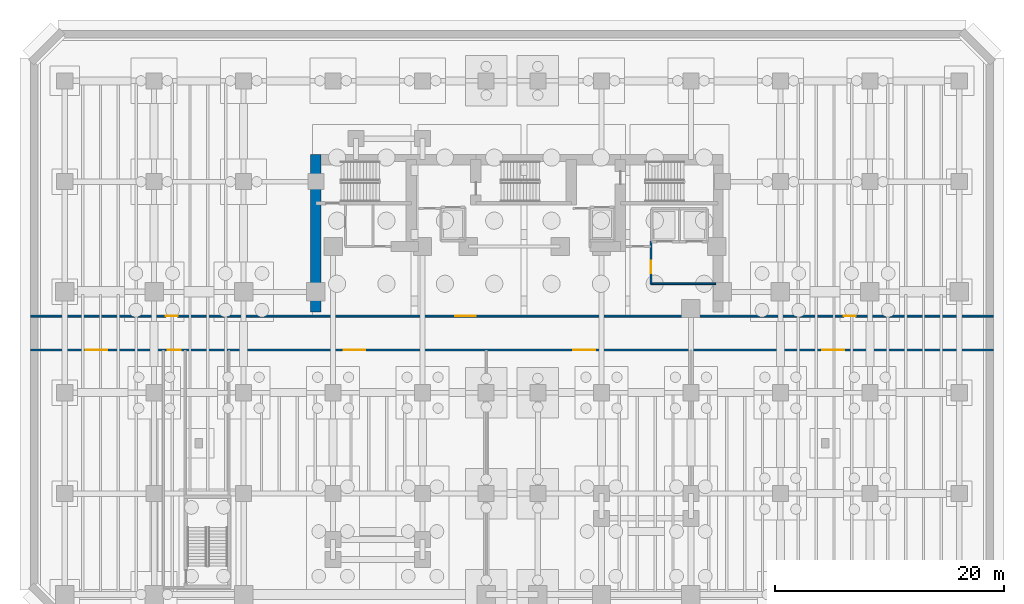
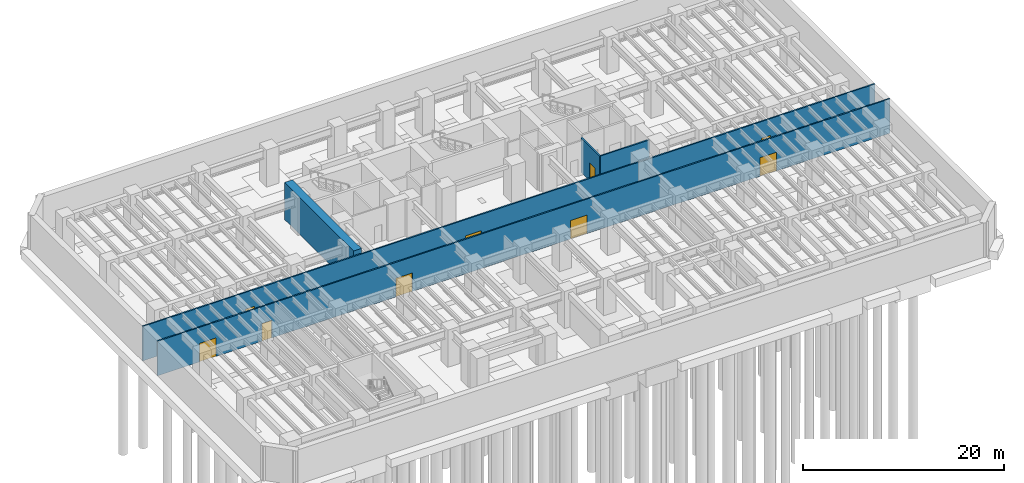
# One storey, part 8 of 13: 9 doors, 5 walls, 9 openings.
"""IFC4 building model written with IfcOpenShell, lengths in metres."""

from ifc_helpers import new_model, si_unit, direction, frame, frame_2d, origin, place, context, subcontext, project, spatial, rectangle, extrude, material, layer, layer_set, type_object, element, fill, save


model = new_model("IFC4")

# Units and contexts
model_context = context("Model", 3, precision=1e-05, world=origin(), true_north=direction((0.0, 1.0)))
body_context = subcontext(model_context, "Body", "Model", "MODEL_VIEW")
ifc_project = project(units=[si_unit("LENGTHUNIT", "METRE"), si_unit("AREAUNIT", "SQUARE_METRE"), si_unit("VOLUMEUNIT", "CUBIC_METRE"), si_unit("PLANEANGLEUNIT", "RADIAN"), si_unit("MASSUNIT", "GRAM", prefix="KILO")], contexts=[model_context])

# Site, building, storey
site_placement = place(None, origin())
site = spatial("IfcSite", under=ifc_project, at=site_placement, CompositionType="ELEMENT")
building_placement = place(site_placement, origin())
building = spatial("IfcBuilding", under=site, at=building_placement, Name="Kestravale Grand Hotel", CompositionType="ELEMENT")
storey_placement = place(building_placement, frame((0.0, 0.0, -9.0)))
storey = spatial("IfcBuildingStorey", under=building, at=storey_placement, Name="B2", CompositionType="ELEMENT", Elevation=-9.0)

# Wall
ifc_material_1 = material(Name="Concrete f'c 70 MPa", Category="concrete")
ifc_layer_1 = layer(ifc_material_1, 0.89990234375)
ifc_layer_set_1 = layer_set([ifc_layer_1], Name="EW-CORE-900")
wall_type_1 = type_object("IfcWallType", Name="EW-CORE-900", PredefinedType="SHEAR", material=ifc_layer_set_1)
wall_1_placement = place(storey_placement, frame((21.89990234375, 27.050048828125, 0.0), z_axis=(0.0, 0.0, 1.0), x_axis=(0.0, 1.0, 0.0)))
element("IfcWall", 1, at=wall_1_placement, inside=storey, type_object=wall_type_1, Name="B2 core shear wall W1", PredefinedType="SHEAR", context=body_context, shape_type="SweptSolid", body=[
    extrude(rectangle(XDim=13.719970703125, YDim=0.89990234375, at=frame_2d((6.85986328125, 0.0))), origin(), (0.0, 0.0, 1.0), 4.5),
])

# Wall, opening, door
ifc_material_2 = material(Name="Acoustic fire-rated gypsum board partition", Category="other")
ifc_layer_2 = layer(ifc_material_2, 0.159912109375)
ifc_layer_set_2 = layer_set([ifc_layer_2], Name="IW-CORR-160")
wall_type_2 = type_object("IfcWallType", Name="IW-CORR-160", PredefinedType="PARTITIONING", material=ifc_layer_set_2)
wall_2_placement = place(storey_placement, frame((51.1201171875, 29.5, 0.0), z_axis=(0.0, 0.0, 1.0), x_axis=(0.0, 1.0, 0.0)))
wall_2 = element("IfcWall", 2, at=wall_2_placement, inside=storey, type_object=wall_type_2, Name="W-B2-SVCLOB-W", PredefinedType="PARTITIONING", context=body_context, shape_type="SweptSolid", body=[
    extrude(rectangle(XDim=3.699951171875, YDim=0.159912109375, at=frame_2d((1.85009765625, 0.0))), origin(), (0.0, 0.0, 1.0), 4.179931640625),
])
opening_1_placement = place(wall_2_placement, frame((0.89990234375, 0.0, 0.0)))
opening_1 = element("IfcOpeningElement", 3, at=opening_1_placement, cuts=wall_2, Name="Opening D-CORR-1100", PredefinedType="OPENING", context=body_context, shape_type="SweptSolid", body=[
    extrude(rectangle(XDim=1.10009765625, YDim=2.14990234375, at=frame_2d((0.550048828125, 1.074951171875))), frame((0.0, 0.08984375, 0.0), z_axis=(0.0, -1.0, 0.0), x_axis=(1.0, 0.0, 0.0)), (0.0, 0.0, 1.0), 0.179931640625),
])
ifc_material_3 = material(Name="Single-leaf service vestibule fire door", Category="steel")
door_type_1 = type_object("IfcDoorType", Name="D-CORR-1100", OperationType="NOTDEFINED", PredefinedType="DOOR", material=ifc_material_3)
door_1_placement = place(opening_1_placement, origin())
door_1 = element("IfcDoor", 4, at=door_1_placement, inside=storey, type_object=door_type_1, Name="B2 service lift lobby door", OperationType="SINGLE_SWING_LEFT", OverallHeight=2.14990234375, OverallWidth=1.10009765625, PredefinedType="DOOR", context=body_context, shape_type="SweptSolid", body=[
    extrude(rectangle(XDim=1.10009765625, YDim=2.14990234375, at=frame_2d((0.550048828125, 1.074951171875))), frame((0.0, 0.02490234375, 0.0), z_axis=(0.0, -1.0, 0.0), x_axis=(1.0, 0.0, 0.0)), (0.0, 0.0, 1.0), 0.050048828125),
])
fill(opening_1, door_1)

# Wall
wall_3_placement = place(storey_placement, frame((51.1201171875, 29.5, 0.0), z_axis=(0.0, 0.0, 1.0), x_axis=(1.0, 0.0, 0.0)))
element("IfcWall", 5, at=wall_3_placement, inside=storey, type_object=wall_type_2, Name="B2 service lift lobby wall", PredefinedType="PARTITIONING", context=body_context, shape_type="SweptSolid", body=[
    extrude(rectangle(XDim=5.6298828125, YDim=0.159912109375, at=frame_2d((2.81494140625, 0.0))), origin(), (0.0, 0.0, 1.0), 4.179931640625),
])

# Wall, openings, doors
wall_4_placement = place(storey_placement, frame((-2.97998046875, 23.719970703125, 0.0), z_axis=(0.0, 0.0, 1.0), x_axis=(1.0, 0.0, 0.0)))
wall_4 = element("IfcWall", 6, at=wall_4_placement, inside=storey, type_object=wall_type_2, Name="W-B2-CORR-S", PredefinedType="PARTITIONING", context=body_context, shape_type="SweptSolid", body=[
    extrude(rectangle(XDim=83.9599609375, YDim=0.159912109375, at=frame_2d((41.97998046875, 0.0))), origin(), (0.0, 0.0, 1.0), 4.179931640625),
])
opening_2_placement = place(wall_4_placement, frame((11.97998046875, 0.0, 0.0)))
opening_2 = element("IfcOpeningElement", 7, at=opening_2_placement, cuts=wall_4, Name="Opening D-CORR-1100", PredefinedType="OPENING", context=body_context, shape_type="SweptSolid", body=[
    extrude(rectangle(XDim=1.10009765625, YDim=2.14990234375, at=frame_2d((0.550048828125, 1.074951171875))), frame((0.0, 0.08984375, 0.0), z_axis=(0.0, -1.0, 0.0), x_axis=(1.0, 0.0, 0.0)), (0.0, 0.0, 1.0), 0.179931640625),
])
opening_3_placement = place(wall_4_placement, frame((4.800048828125, 0.0, 0.0)))
opening_3 = element("IfcOpeningElement", 8, at=opening_3_placement, cuts=wall_4, Name="Opening D-PLT-1900", PredefinedType="OPENING", context=body_context, shape_type="SweptSolid", body=[
    extrude(rectangle(XDim=1.89990234375, YDim=2.25, at=frame_2d((0.949951171875, 1.125))), frame((0.0, 0.08984375, 0.0), z_axis=(0.0, -1.0, 0.0), x_axis=(1.0, 0.0, 0.0)), (0.0, 0.0, 1.0), 0.179931640625),
])
opening_4_placement = place(wall_4_placement, frame((27.300048828125, 0.0, 0.0)))
opening_4 = element("IfcOpeningElement", 9, at=opening_4_placement, cuts=wall_4, Name="Opening D-PLT-1900", PredefinedType="OPENING", context=body_context, shape_type="SweptSolid", body=[
    extrude(rectangle(XDim=1.89990234375, YDim=2.25, at=frame_2d((0.949951171875, 1.125))), frame((0.0, 0.08984375, 0.0), z_axis=(0.0, -1.0, 0.0), x_axis=(1.0, 0.0, 0.0)), (0.0, 0.0, 1.0), 0.179931640625),
])
opening_5_placement = place(wall_4_placement, frame((47.324951171875, 0.0, 0.0)))
opening_5 = element("IfcOpeningElement", 10, at=opening_5_placement, cuts=wall_4, Name="Opening D-PLT-1900", PredefinedType="OPENING", context=body_context, shape_type="SweptSolid", body=[
    extrude(rectangle(XDim=1.89990234375, YDim=2.25, at=frame_2d((0.949951171875, 1.125))), frame((0.0, 0.08984375, 0.0), z_axis=(0.0, -1.0, 0.0), x_axis=(1.0, 0.0, 0.0)), (0.0, 0.0, 1.0), 0.179931640625),
])
opening_6_placement = place(wall_4_placement, frame((69.050048828125, 0.0, 0.0)))
opening_6 = element("IfcOpeningElement", 11, at=opening_6_placement, cuts=wall_4, Name="Opening D-PLT-1900", PredefinedType="OPENING", context=body_context, shape_type="SweptSolid", body=[
    extrude(rectangle(XDim=1.89990234375, YDim=2.25, at=frame_2d((0.949951171875, 1.125))), frame((0.0, 0.08984375, 0.0), z_axis=(0.0, -1.0, 0.0), x_axis=(1.0, 0.0, 0.0)), (0.0, 0.0, 1.0), 0.179931640625),
])
door_2_placement = place(opening_2_placement, origin())
door_2 = element("IfcDoor", 12, at=door_2_placement, inside=storey, type_object=door_type_1, Name="B2 West Stair Corridor Door", OperationType="SINGLE_SWING_RIGHT", OverallHeight=2.14990234375, OverallWidth=1.10009765625, PredefinedType="DOOR", context=body_context, shape_type="SweptSolid", body=[
    extrude(rectangle(XDim=1.10009765625, YDim=2.14990234375, at=frame_2d((0.550048828125, 1.074951171875))), frame((0.0, 0.02490234375, 0.0), z_axis=(0.0, -1.0, 0.0), x_axis=(1.0, 0.0, 0.0)), (0.0, 0.0, 1.0), 0.050048828125),
])
fill(opening_2, door_2)
ifc_material_4 = material(Name="Heavy-duty double plant room fire door", Category="steel")
door_type_2 = type_object("IfcDoorType", Name="D-PLT-1900", OperationType="NOTDEFINED", PredefinedType="DOOR", material=ifc_material_4)
door_3_placement = place(opening_3_placement, origin())
door_3 = element("IfcDoor", 13, at=door_3_placement, inside=storey, type_object=door_type_2, Name="D-B2-S-TANK", OperationType="DOUBLE_DOOR_SINGLE_SWING", OverallHeight=2.25, OverallWidth=1.89990234375, PredefinedType="DOOR", context=body_context, shape_type="SweptSolid", body=[
    extrude(rectangle(XDim=1.89990234375, YDim=2.25, at=frame_2d((0.949951171875, 1.125))), frame((0.0, 0.02490234375, 0.0), z_axis=(0.0, -1.0, 0.0), x_axis=(1.0, 0.0, 0.0)), (0.0, 0.0, 1.0), 0.050048828125),
])
fill(opening_3, door_3)
door_4_placement = place(opening_4_placement, origin())
door_4 = element("IfcDoor", 14, at=door_4_placement, inside=storey, type_object=door_type_2, Name="D-B2-S-CHILLER", OperationType="DOUBLE_DOOR_SINGLE_SWING", OverallHeight=2.25, OverallWidth=1.89990234375, PredefinedType="DOOR", context=body_context, shape_type="SweptSolid", body=[
    extrude(rectangle(XDim=1.89990234375, YDim=2.25, at=frame_2d((0.949951171875, 1.125))), frame((0.0, 0.02490234375, 0.0), z_axis=(0.0, -1.0, 0.0), x_axis=(1.0, 0.0, 0.0)), (0.0, 0.0, 1.0), 0.050048828125),
])
fill(opening_4, door_4)
door_5_placement = place(opening_5_placement, origin())
door_5 = element("IfcDoor", 15, at=door_5_placement, inside=storey, type_object=door_type_2, Name="D-B2-S-PUMP", OperationType="DOUBLE_DOOR_SINGLE_SWING", OverallHeight=2.25, OverallWidth=1.89990234375, PredefinedType="DOOR", context=body_context, shape_type="SweptSolid", body=[
    extrude(rectangle(XDim=1.89990234375, YDim=2.25, at=frame_2d((0.949951171875, 1.125))), frame((0.0, 0.02490234375, 0.0), z_axis=(0.0, -1.0, 0.0), x_axis=(1.0, 0.0, 0.0)), (0.0, 0.0, 1.0), 0.050048828125),
])
fill(opening_5, door_5)
door_6_placement = place(opening_6_placement, origin())
door_6 = element("IfcDoor", 16, at=door_6_placement, inside=storey, type_object=door_type_2, Name="D-B2-S-HEAT", OperationType="DOUBLE_DOOR_SINGLE_SWING", OverallHeight=2.25, OverallWidth=1.89990234375, PredefinedType="DOOR", context=body_context, shape_type="SweptSolid", body=[
    extrude(rectangle(XDim=1.89990234375, YDim=2.25, at=frame_2d((0.949951171875, 1.125))), frame((0.0, 0.02490234375, 0.0), z_axis=(0.0, -1.0, 0.0), x_axis=(1.0, 0.0, 0.0)), (0.0, 0.0, 1.0), 0.050048828125),
])
fill(opening_6, door_6)

wall_5_placement = place(storey_placement, frame((-2.97998046875, 26.679931640625, 0.0), z_axis=(0.0, 0.0, 1.0), x_axis=(1.0, 0.0, 0.0)))
wall_5 = element("IfcWall", 17, at=wall_5_placement, inside=storey, type_object=wall_type_2, Name="W-B2-CORR-N", PredefinedType="PARTITIONING", context=body_context, shape_type="SweptSolid", body=[
    extrude(rectangle(XDim=83.9599609375, YDim=0.159912109375, at=frame_2d((41.97998046875, 0.0))), origin(), (0.0, 0.0, 1.0), 4.179931640625),
])
opening_7_placement = place(wall_5_placement, frame((37.01611328125, 0.0, 0.0)))
opening_7 = element("IfcOpeningElement", 18, at=opening_7_placement, cuts=wall_5, Name="Opening D-CORR-1800", PredefinedType="OPENING", context=body_context, shape_type="SweptSolid", body=[
    extrude(rectangle(XDim=1.800048828125, YDim=2.199951171875, at=frame_2d((0.89990234375, 1.10009765625))), frame((0.0, 0.08984375, 0.0), z_axis=(0.0, -1.0, 0.0), x_axis=(1.0, 0.0, 0.0)), (0.0, 0.0, 1.0), 0.179931640625),
])
opening_8_placement = place(wall_5_placement, frame((11.77490234375, 0.0, 0.0)))
opening_8 = element("IfcOpeningElement", 19, at=opening_8_placement, cuts=wall_5, Name="Opening D-PLT-1050", PredefinedType="OPENING", context=body_context, shape_type="SweptSolid", body=[
    extrude(rectangle(XDim=1.050048828125, YDim=2.14990234375, at=frame_2d((0.52490234375, 1.074951171875))), frame((0.0, 0.08984375, 0.0), z_axis=(0.0, -1.0, 0.0), x_axis=(1.0, 0.0, 0.0)), (0.0, 0.0, 1.0), 0.179931640625),
])
opening_9_placement = place(wall_5_placement, frame((70.925048828125, 0.0, 0.0)))
opening_9 = element("IfcOpeningElement", 20, at=opening_9_placement, cuts=wall_5, Name="Opening D-PLT-1050", PredefinedType="OPENING", context=body_context, shape_type="SweptSolid", body=[
    extrude(rectangle(XDim=1.050048828125, YDim=2.14990234375, at=frame_2d((0.52490234375, 1.074951171875))), frame((0.0, 0.08984375, 0.0), z_axis=(0.0, -1.0, 0.0), x_axis=(1.0, 0.0, 0.0)), (0.0, 0.0, 1.0), 0.179931640625),
])
ifc_material_5 = material(Name="Double-leaf glazed bronze acoustic corridor fire door", Category="aluminium")
door_type_3 = type_object("IfcDoorType", Name="D-CORR-1800", OperationType="NOTDEFINED", PredefinedType="DOOR", material=ifc_material_5)
door_7_placement = place(opening_7_placement, origin())
door_7 = element("IfcDoor", 21, at=door_7_placement, inside=storey, type_object=door_type_3, Name="D-B2-LFTLOB", OperationType="DOUBLE_DOOR_SINGLE_SWING", OverallHeight=2.199951171875, OverallWidth=1.800048828125, PredefinedType="DOOR", context=body_context, shape_type="SweptSolid", body=[
    extrude(rectangle(XDim=1.800048828125, YDim=2.199951171875, at=frame_2d((0.89990234375, 1.10009765625))), frame((0.0, 0.02490234375, 0.0), z_axis=(0.0, -1.0, 0.0), x_axis=(1.0, 0.0, 0.0)), (0.0, 0.0, 1.0), 0.050048828125),
])
fill(opening_7, door_7)
ifc_material_6 = material(Name="Single plant room fire door", Category="steel")
door_type_4 = type_object("IfcDoorType", Name="D-PLT-1050", OperationType="NOTDEFINED", PredefinedType="DOOR", material=ifc_material_6)
door_8_placement = place(opening_8_placement, origin())
door_8 = element("IfcDoor", 22, at=door_8_placement, inside=storey, type_object=door_type_4, Name="D-B2-N-SUBST", OperationType="SINGLE_SWING_RIGHT", OverallHeight=2.14990234375, OverallWidth=1.050048828125, PredefinedType="DOOR", context=body_context, shape_type="SweptSolid", body=[
    extrude(rectangle(XDim=1.050048828125, YDim=2.14990234375, at=frame_2d((0.52490234375, 1.074951171875))), frame((0.0, 0.02490234375, 0.0), z_axis=(0.0, -1.0, 0.0), x_axis=(1.0, 0.0, 0.0)), (0.0, 0.0, 1.0), 0.050048828125),
])
fill(opening_8, door_8)
door_9_placement = place(opening_9_placement, origin())
door_9 = element("IfcDoor", 23, at=door_9_placement, inside=storey, type_object=door_type_4, Name="D-B2-N-STBY", OperationType="SINGLE_SWING_LEFT", OverallHeight=2.14990234375, OverallWidth=1.050048828125, PredefinedType="DOOR", context=body_context, shape_type="SweptSolid", body=[
    extrude(rectangle(XDim=1.050048828125, YDim=2.14990234375, at=frame_2d((0.52490234375, 1.074951171875))), frame((0.0, 0.02490234375, 0.0), z_axis=(0.0, -1.0, 0.0), x_axis=(1.0, 0.0, 0.0)), (0.0, 0.0, 1.0), 0.050048828125),
])
fill(opening_9, door_9)

save(model, "model.ifc")
